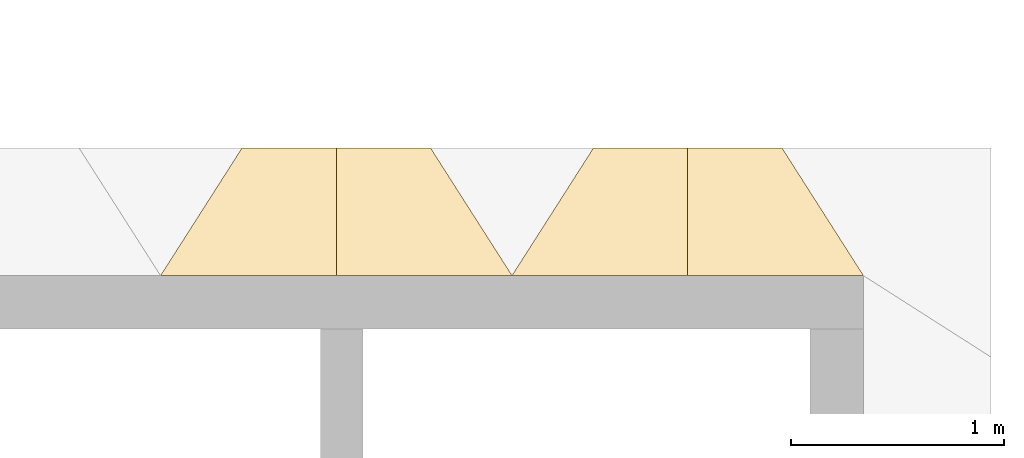
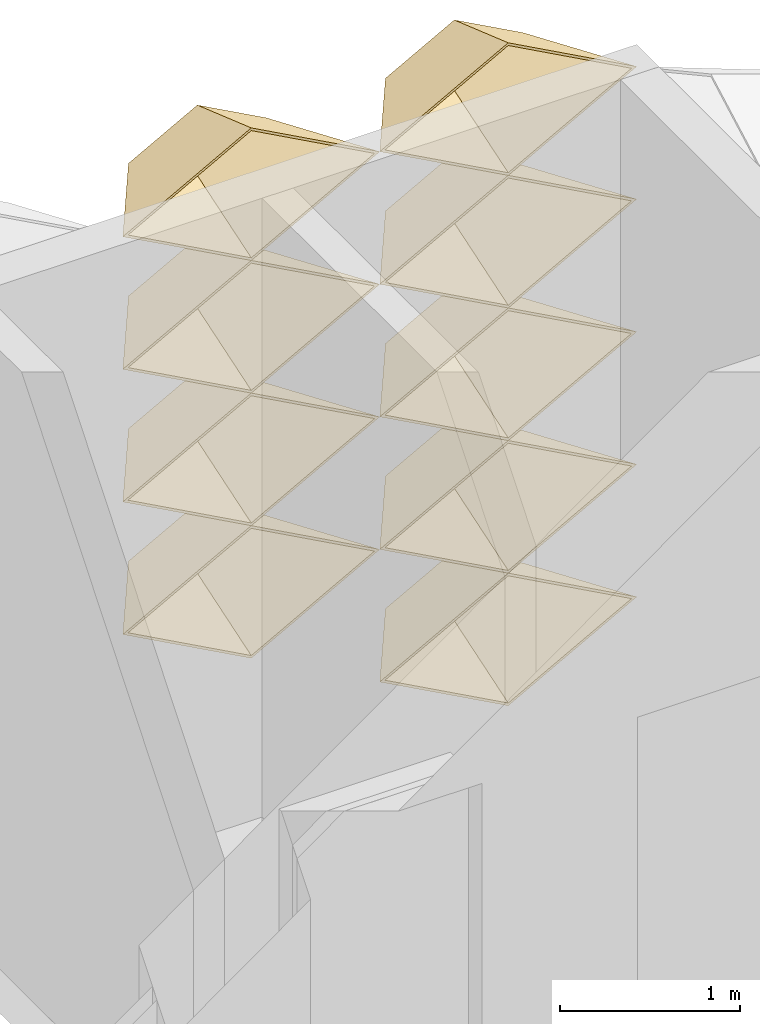
# One storey, part 27 of 28: 9 coverings.
"""IFC4 building model written with IfcOpenShell, lengths in metres."""

from ifc_helpers import new_model, entity, si_unit, direction, frame, origin, place, context, subcontext, project, spatial, material, layer, layer_set, type_object, element, save


model = new_model("IFC4")

# Units and contexts
model_context = context("Model", 3, precision=1e-05, world=origin(), true_north=direction((0.0, 1.0)))
body_context = subcontext(model_context, "Body", "Model", "MODEL_VIEW")
ifc_project = project(units=[si_unit("LENGTHUNIT", "METRE"), si_unit("AREAUNIT", "SQUARE_METRE"), si_unit("VOLUMEUNIT", "CUBIC_METRE"), si_unit("PLANEANGLEUNIT", "RADIAN"), si_unit("MASSUNIT", "GRAM", prefix="KILO")], contexts=[model_context])

# Site, building, storey
site_placement = place(None, origin())
site = spatial("IfcSite", under=ifc_project, at=site_placement, CompositionType="ELEMENT")
building_placement = place(site_placement, origin())
building = spatial("IfcBuilding", under=site, at=building_placement, Name="Lantern Court Research Institute", CompositionType="ELEMENT")
storey_placement = place(building_placement, frame((0.0, 0.0, 36.89990234375)))
storey = spatial("IfcBuildingStorey", under=building, at=storey_placement, Name="L08", CompositionType="ELEMENT", Elevation=36.89990234375)

# Coverings
ifc_material = material(Name="Anodised aluminium", Category="aluminium")
ifc_layer = layer(ifc_material, 0.01611328125)
ifc_layer_set = layer_set([ifc_layer], Name="Anodised aluminium")
covering_type = type_object("IfcCoveringType", Name="Fin cassette 1650 x 900 x 600 aluminium", PredefinedType="CLADDING", material=ifc_layer_set)
covering_1_placement = place(storey_placement, frame((78.375, 23.10009765625, 0.4501953125), z_axis=(0.0, 1.0, 0.0), x_axis=(-1.0, 0.0, 0.0)))
cartesian_point_1 = entity("IfcCartesianPoint", [0.824951171875, 0.0])
cartesian_point_2 = entity("IfcCartesianPoint", [0.79150390625, 0.0])
cartesian_point_3 = entity("IfcCartesianPoint", [0.44189453125, 0.0])
cartesian_point_4 = entity("IfcCartesianPoint", [0.43359375, 0.0])
element("IfcCovering", 1, at=covering_1_placement, inside=storey, type_object=covering_type, Name="Fin cassette V5N-L08 1.48", PredefinedType="CLADDING", context=body_context, shape_type="SweptSolid", body=[
    entity("IfcExtrudedAreaSolidTapered", entity("IfcArbitraryProfileDefWithVoids", "AREA", None, entity("IfcPolyline", [cartesian_point_1, entity("IfcCartesianPoint", [0.0, 0.449951171875]), entity("IfcCartesianPoint", [-0.824951171875, 0.0]), entity("IfcCartesianPoint", [0.0, -0.449951171875]), cartesian_point_1]), [entity("IfcPolyline", [cartesian_point_2, entity("IfcCartesianPoint", [0.0, 0.431884765625]), entity("IfcCartesianPoint", [-0.79150390625, 0.0]), entity("IfcCartesianPoint", [0.0, -0.431884765625]), cartesian_point_2])]), entity("IfcAxis2Placement3D", entity("IfcCartesianPoint", [0.0, 0.0, 0.0])), entity("IfcDirection", [0.0, 0.0, 1.0]), 0.60009765625, entity("IfcArbitraryProfileDefWithVoids", "AREA", None, entity("IfcPolyline", [cartesian_point_3, entity("IfcCartesianPoint", [0.0, 0.240966796875]), entity("IfcCartesianPoint", [-0.44189453125, 0.0]), entity("IfcCartesianPoint", [0.0, -0.240966796875]), cartesian_point_3]), [entity("IfcPolyline", [cartesian_point_4, entity("IfcCartesianPoint", [0.0, 0.236572265625]), entity("IfcCartesianPoint", [-0.43359375, 0.0]), entity("IfcCartesianPoint", [0.0, -0.236572265625]), cartesian_point_4])])),
])
covering_2_placement = place(storey_placement, frame((76.72509765625, 23.10009765625, 1.35009765625), z_axis=(0.0, 1.0, 0.0), x_axis=(-1.0, 0.0, 0.0)))
cartesian_point_5 = entity("IfcCartesianPoint", [0.824951171875, 0.0])
cartesian_point_6 = entity("IfcCartesianPoint", [0.79150390625, 0.0])
cartesian_point_7 = entity("IfcCartesianPoint", [0.44189453125, 0.0])
cartesian_point_8 = entity("IfcCartesianPoint", [0.43359375, 0.0])
element("IfcCovering", 2, at=covering_2_placement, inside=storey, type_object=covering_type, Name="Fin cassette V5N-L08 2.47", PredefinedType="CLADDING", context=body_context, shape_type="SweptSolid", body=[
    entity("IfcExtrudedAreaSolidTapered", entity("IfcArbitraryProfileDefWithVoids", "AREA", None, entity("IfcPolyline", [cartesian_point_5, entity("IfcCartesianPoint", [0.0, 0.449951171875]), entity("IfcCartesianPoint", [-0.824951171875, 0.0]), entity("IfcCartesianPoint", [0.0, -0.449951171875]), cartesian_point_5]), [entity("IfcPolyline", [cartesian_point_6, entity("IfcCartesianPoint", [0.0, 0.431884765625]), entity("IfcCartesianPoint", [-0.79150390625, 0.0]), entity("IfcCartesianPoint", [0.0, -0.431884765625]), cartesian_point_6])]), entity("IfcAxis2Placement3D", entity("IfcCartesianPoint", [0.0, 0.0, 0.0])), entity("IfcDirection", [0.0, 0.0, 1.0]), 0.60009765625, entity("IfcArbitraryProfileDefWithVoids", "AREA", None, entity("IfcPolyline", [cartesian_point_7, entity("IfcCartesianPoint", [0.0, 0.240966796875]), entity("IfcCartesianPoint", [-0.44189453125, 0.0]), entity("IfcCartesianPoint", [0.0, -0.240966796875]), cartesian_point_7]), [entity("IfcPolyline", [cartesian_point_8, entity("IfcCartesianPoint", [0.0, 0.236572265625]), entity("IfcCartesianPoint", [-0.43359375, 0.0]), entity("IfcCartesianPoint", [0.0, -0.236572265625]), cartesian_point_8])])),
])
covering_3_placement = place(storey_placement, frame((78.375, 23.10009765625, 1.35009765625), z_axis=(0.0, 1.0, 0.0), x_axis=(-1.0, 0.0, 0.0)))
cartesian_point_9 = entity("IfcCartesianPoint", [0.824951171875, 0.0])
cartesian_point_10 = entity("IfcCartesianPoint", [0.79150390625, 0.0])
cartesian_point_11 = entity("IfcCartesianPoint", [0.44189453125, 0.0])
cartesian_point_12 = entity("IfcCartesianPoint", [0.43359375, 0.0])
element("IfcCovering", 3, at=covering_3_placement, inside=storey, type_object=covering_type, Name="Fin cassette V5N-L08 2.48", PredefinedType="CLADDING", context=body_context, shape_type="SweptSolid", body=[
    entity("IfcExtrudedAreaSolidTapered", entity("IfcArbitraryProfileDefWithVoids", "AREA", None, entity("IfcPolyline", [cartesian_point_9, entity("IfcCartesianPoint", [0.0, 0.449951171875]), entity("IfcCartesianPoint", [-0.824951171875, 0.0]), entity("IfcCartesianPoint", [0.0, -0.449951171875]), cartesian_point_9]), [entity("IfcPolyline", [cartesian_point_10, entity("IfcCartesianPoint", [0.0, 0.431884765625]), entity("IfcCartesianPoint", [-0.79150390625, 0.0]), entity("IfcCartesianPoint", [0.0, -0.431884765625]), cartesian_point_10])]), entity("IfcAxis2Placement3D", entity("IfcCartesianPoint", [0.0, 0.0, 0.0])), entity("IfcDirection", [0.0, 0.0, 1.0]), 0.60009765625, entity("IfcArbitraryProfileDefWithVoids", "AREA", None, entity("IfcPolyline", [cartesian_point_11, entity("IfcCartesianPoint", [0.0, 0.240966796875]), entity("IfcCartesianPoint", [-0.44189453125, 0.0]), entity("IfcCartesianPoint", [0.0, -0.240966796875]), cartesian_point_11]), [entity("IfcPolyline", [cartesian_point_12, entity("IfcCartesianPoint", [0.0, 0.236572265625]), entity("IfcCartesianPoint", [-0.43359375, 0.0]), entity("IfcCartesianPoint", [0.0, -0.236572265625]), cartesian_point_12])])),
])
covering_4_placement = place(storey_placement, frame((76.72509765625, 23.10009765625, 2.25), z_axis=(0.0, 1.0, 0.0), x_axis=(-1.0, 0.0, 0.0)))
cartesian_point_13 = entity("IfcCartesianPoint", [0.824951171875, 0.0])
cartesian_point_14 = entity("IfcCartesianPoint", [0.79150390625, 0.0])
cartesian_point_15 = entity("IfcCartesianPoint", [0.44189453125, 0.0])
cartesian_point_16 = entity("IfcCartesianPoint", [0.43359375, 0.0])
element("IfcCovering", 4, at=covering_4_placement, inside=storey, type_object=covering_type, Name="Fin cassette V5N-L08 3.47", PredefinedType="CLADDING", context=body_context, shape_type="SweptSolid", body=[
    entity("IfcExtrudedAreaSolidTapered", entity("IfcArbitraryProfileDefWithVoids", "AREA", None, entity("IfcPolyline", [cartesian_point_13, entity("IfcCartesianPoint", [0.0, 0.449951171875]), entity("IfcCartesianPoint", [-0.824951171875, 0.0]), entity("IfcCartesianPoint", [0.0, -0.449951171875]), cartesian_point_13]), [entity("IfcPolyline", [cartesian_point_14, entity("IfcCartesianPoint", [0.0, 0.431884765625]), entity("IfcCartesianPoint", [-0.79150390625, 0.0]), entity("IfcCartesianPoint", [0.0, -0.431884765625]), cartesian_point_14])]), entity("IfcAxis2Placement3D", entity("IfcCartesianPoint", [0.0, 0.0, 0.0])), entity("IfcDirection", [0.0, 0.0, 1.0]), 0.60009765625, entity("IfcArbitraryProfileDefWithVoids", "AREA", None, entity("IfcPolyline", [cartesian_point_15, entity("IfcCartesianPoint", [0.0, 0.240966796875]), entity("IfcCartesianPoint", [-0.44189453125, 0.0]), entity("IfcCartesianPoint", [0.0, -0.240966796875]), cartesian_point_15]), [entity("IfcPolyline", [cartesian_point_16, entity("IfcCartesianPoint", [0.0, 0.236572265625]), entity("IfcCartesianPoint", [-0.43359375, 0.0]), entity("IfcCartesianPoint", [0.0, -0.236572265625]), cartesian_point_16])])),
])
covering_5_placement = place(storey_placement, frame((78.375, 23.10009765625, 2.25), z_axis=(0.0, 1.0, 0.0), x_axis=(-1.0, 0.0, 0.0)))
cartesian_point_17 = entity("IfcCartesianPoint", [0.824951171875, 0.0])
cartesian_point_18 = entity("IfcCartesianPoint", [0.79150390625, 0.0])
cartesian_point_19 = entity("IfcCartesianPoint", [0.44189453125, 0.0])
cartesian_point_20 = entity("IfcCartesianPoint", [0.43359375, 0.0])
element("IfcCovering", 5, at=covering_5_placement, inside=storey, type_object=covering_type, Name="Fin cassette V5N-L08 3.48", PredefinedType="CLADDING", context=body_context, shape_type="SweptSolid", body=[
    entity("IfcExtrudedAreaSolidTapered", entity("IfcArbitraryProfileDefWithVoids", "AREA", None, entity("IfcPolyline", [cartesian_point_17, entity("IfcCartesianPoint", [0.0, 0.449951171875]), entity("IfcCartesianPoint", [-0.824951171875, 0.0]), entity("IfcCartesianPoint", [0.0, -0.449951171875]), cartesian_point_17]), [entity("IfcPolyline", [cartesian_point_18, entity("IfcCartesianPoint", [0.0, 0.431884765625]), entity("IfcCartesianPoint", [-0.79150390625, 0.0]), entity("IfcCartesianPoint", [0.0, -0.431884765625]), cartesian_point_18])]), entity("IfcAxis2Placement3D", entity("IfcCartesianPoint", [0.0, 0.0, 0.0])), entity("IfcDirection", [0.0, 0.0, 1.0]), 0.60009765625, entity("IfcArbitraryProfileDefWithVoids", "AREA", None, entity("IfcPolyline", [cartesian_point_19, entity("IfcCartesianPoint", [0.0, 0.240966796875]), entity("IfcCartesianPoint", [-0.44189453125, 0.0]), entity("IfcCartesianPoint", [0.0, -0.240966796875]), cartesian_point_19]), [entity("IfcPolyline", [cartesian_point_20, entity("IfcCartesianPoint", [0.0, 0.236572265625]), entity("IfcCartesianPoint", [-0.43359375, 0.0]), entity("IfcCartesianPoint", [0.0, -0.236572265625]), cartesian_point_20])])),
])
covering_6_placement = place(storey_placement, frame((76.72509765625, 23.10009765625, 3.150146484375), z_axis=(0.0, 1.0, 0.0), x_axis=(-1.0, 0.0, 0.0)))
cartesian_point_21 = entity("IfcCartesianPoint", [0.824951171875, 0.0])
cartesian_point_22 = entity("IfcCartesianPoint", [0.79150390625, 0.0])
cartesian_point_23 = entity("IfcCartesianPoint", [0.44189453125, 0.0])
cartesian_point_24 = entity("IfcCartesianPoint", [0.43359375, 0.0])
element("IfcCovering", 6, at=covering_6_placement, inside=storey, type_object=covering_type, Name="Fin cassette V5N-L08 4.47", PredefinedType="CLADDING", context=body_context, shape_type="SweptSolid", body=[
    entity("IfcExtrudedAreaSolidTapered", entity("IfcArbitraryProfileDefWithVoids", "AREA", None, entity("IfcPolyline", [cartesian_point_21, entity("IfcCartesianPoint", [0.0, 0.449951171875]), entity("IfcCartesianPoint", [-0.824951171875, 0.0]), entity("IfcCartesianPoint", [0.0, -0.449951171875]), cartesian_point_21]), [entity("IfcPolyline", [cartesian_point_22, entity("IfcCartesianPoint", [0.0, 0.431884765625]), entity("IfcCartesianPoint", [-0.79150390625, 0.0]), entity("IfcCartesianPoint", [0.0, -0.431884765625]), cartesian_point_22])]), entity("IfcAxis2Placement3D", entity("IfcCartesianPoint", [0.0, 0.0, 0.0])), entity("IfcDirection", [0.0, 0.0, 1.0]), 0.60009765625, entity("IfcArbitraryProfileDefWithVoids", "AREA", None, entity("IfcPolyline", [cartesian_point_23, entity("IfcCartesianPoint", [0.0, 0.240966796875]), entity("IfcCartesianPoint", [-0.44189453125, 0.0]), entity("IfcCartesianPoint", [0.0, -0.240966796875]), cartesian_point_23]), [entity("IfcPolyline", [cartesian_point_24, entity("IfcCartesianPoint", [0.0, 0.236572265625]), entity("IfcCartesianPoint", [-0.43359375, 0.0]), entity("IfcCartesianPoint", [0.0, -0.236572265625]), cartesian_point_24])])),
])
covering_7_placement = place(storey_placement, frame((78.375, 23.10009765625, 3.150146484375), z_axis=(0.0, 1.0, 0.0), x_axis=(-1.0, 0.0, 0.0)))
cartesian_point_25 = entity("IfcCartesianPoint", [0.824951171875, 0.0])
cartesian_point_26 = entity("IfcCartesianPoint", [0.79150390625, 0.0])
cartesian_point_27 = entity("IfcCartesianPoint", [0.44189453125, 0.0])
cartesian_point_28 = entity("IfcCartesianPoint", [0.43359375, 0.0])
element("IfcCovering", 7, at=covering_7_placement, inside=storey, type_object=covering_type, Name="Fin cassette V5N-L08 4.48", PredefinedType="CLADDING", context=body_context, shape_type="SweptSolid", body=[
    entity("IfcExtrudedAreaSolidTapered", entity("IfcArbitraryProfileDefWithVoids", "AREA", None, entity("IfcPolyline", [cartesian_point_25, entity("IfcCartesianPoint", [0.0, 0.449951171875]), entity("IfcCartesianPoint", [-0.824951171875, 0.0]), entity("IfcCartesianPoint", [0.0, -0.449951171875]), cartesian_point_25]), [entity("IfcPolyline", [cartesian_point_26, entity("IfcCartesianPoint", [0.0, 0.431884765625]), entity("IfcCartesianPoint", [-0.79150390625, 0.0]), entity("IfcCartesianPoint", [0.0, -0.431884765625]), cartesian_point_26])]), entity("IfcAxis2Placement3D", entity("IfcCartesianPoint", [0.0, 0.0, 0.0])), entity("IfcDirection", [0.0, 0.0, 1.0]), 0.60009765625, entity("IfcArbitraryProfileDefWithVoids", "AREA", None, entity("IfcPolyline", [cartesian_point_27, entity("IfcCartesianPoint", [0.0, 0.240966796875]), entity("IfcCartesianPoint", [-0.44189453125, 0.0]), entity("IfcCartesianPoint", [0.0, -0.240966796875]), cartesian_point_27]), [entity("IfcPolyline", [cartesian_point_28, entity("IfcCartesianPoint", [0.0, 0.236572265625]), entity("IfcCartesianPoint", [-0.43359375, 0.0]), entity("IfcCartesianPoint", [0.0, -0.236572265625]), cartesian_point_28])])),
])
covering_8_placement = place(storey_placement, frame((76.72509765625, 23.10009765625, 4.050048828125), z_axis=(0.0, 1.0, 0.0), x_axis=(-1.0, 0.0, 0.0)))
cartesian_point_29 = entity("IfcCartesianPoint", [0.824951171875, 0.0])
cartesian_point_30 = entity("IfcCartesianPoint", [0.79150390625, 0.0])
cartesian_point_31 = entity("IfcCartesianPoint", [0.44189453125, 0.0])
cartesian_point_32 = entity("IfcCartesianPoint", [0.43359375, 0.0])
element("IfcCovering", 8, at=covering_8_placement, inside=storey, type_object=covering_type, Name="Fin cassette V5N-L08 5.47", PredefinedType="CLADDING", context=body_context, shape_type="SweptSolid", body=[
    entity("IfcExtrudedAreaSolidTapered", entity("IfcArbitraryProfileDefWithVoids", "AREA", None, entity("IfcPolyline", [cartesian_point_29, entity("IfcCartesianPoint", [0.0, 0.449951171875]), entity("IfcCartesianPoint", [-0.824951171875, 0.0]), entity("IfcCartesianPoint", [0.0, -0.449951171875]), cartesian_point_29]), [entity("IfcPolyline", [cartesian_point_30, entity("IfcCartesianPoint", [0.0, 0.431884765625]), entity("IfcCartesianPoint", [-0.79150390625, 0.0]), entity("IfcCartesianPoint", [0.0, -0.431884765625]), cartesian_point_30])]), entity("IfcAxis2Placement3D", entity("IfcCartesianPoint", [0.0, 0.0, 0.0])), entity("IfcDirection", [0.0, 0.0, 1.0]), 0.60009765625, entity("IfcArbitraryProfileDefWithVoids", "AREA", None, entity("IfcPolyline", [cartesian_point_31, entity("IfcCartesianPoint", [0.0, 0.240966796875]), entity("IfcCartesianPoint", [-0.44189453125, 0.0]), entity("IfcCartesianPoint", [0.0, -0.240966796875]), cartesian_point_31]), [entity("IfcPolyline", [cartesian_point_32, entity("IfcCartesianPoint", [0.0, 0.236572265625]), entity("IfcCartesianPoint", [-0.43359375, 0.0]), entity("IfcCartesianPoint", [0.0, -0.236572265625]), cartesian_point_32])])),
])
covering_9_placement = place(storey_placement, frame((78.375, 23.10009765625, 4.050048828125), z_axis=(0.0, 1.0, 0.0), x_axis=(-1.0, 0.0, 0.0)))
cartesian_point_33 = entity("IfcCartesianPoint", [0.824951171875, 0.0])
cartesian_point_34 = entity("IfcCartesianPoint", [0.79150390625, 0.0])
cartesian_point_35 = entity("IfcCartesianPoint", [0.44189453125, 0.0])
cartesian_point_36 = entity("IfcCartesianPoint", [0.43359375, 0.0])
element("IfcCovering", 9, at=covering_9_placement, inside=storey, type_object=covering_type, Name="Fin cassette V5N-L08 5.48", PredefinedType="CLADDING", context=body_context, shape_type="SweptSolid", body=[
    entity("IfcExtrudedAreaSolidTapered", entity("IfcArbitraryProfileDefWithVoids", "AREA", None, entity("IfcPolyline", [cartesian_point_33, entity("IfcCartesianPoint", [0.0, 0.449951171875]), entity("IfcCartesianPoint", [-0.824951171875, 0.0]), entity("IfcCartesianPoint", [0.0, -0.449951171875]), cartesian_point_33]), [entity("IfcPolyline", [cartesian_point_34, entity("IfcCartesianPoint", [0.0, 0.431884765625]), entity("IfcCartesianPoint", [-0.79150390625, 0.0]), entity("IfcCartesianPoint", [0.0, -0.431884765625]), cartesian_point_34])]), entity("IfcAxis2Placement3D", entity("IfcCartesianPoint", [0.0, 0.0, 0.0])), entity("IfcDirection", [0.0, 0.0, 1.0]), 0.60009765625, entity("IfcArbitraryProfileDefWithVoids", "AREA", None, entity("IfcPolyline", [cartesian_point_35, entity("IfcCartesianPoint", [0.0, 0.240966796875]), entity("IfcCartesianPoint", [-0.44189453125, 0.0]), entity("IfcCartesianPoint", [0.0, -0.240966796875]), cartesian_point_35]), [entity("IfcPolyline", [cartesian_point_36, entity("IfcCartesianPoint", [0.0, 0.236572265625]), entity("IfcCartesianPoint", [-0.43359375, 0.0]), entity("IfcCartesianPoint", [0.0, -0.236572265625]), cartesian_point_36])])),
])

save(model, "model.ifc")
